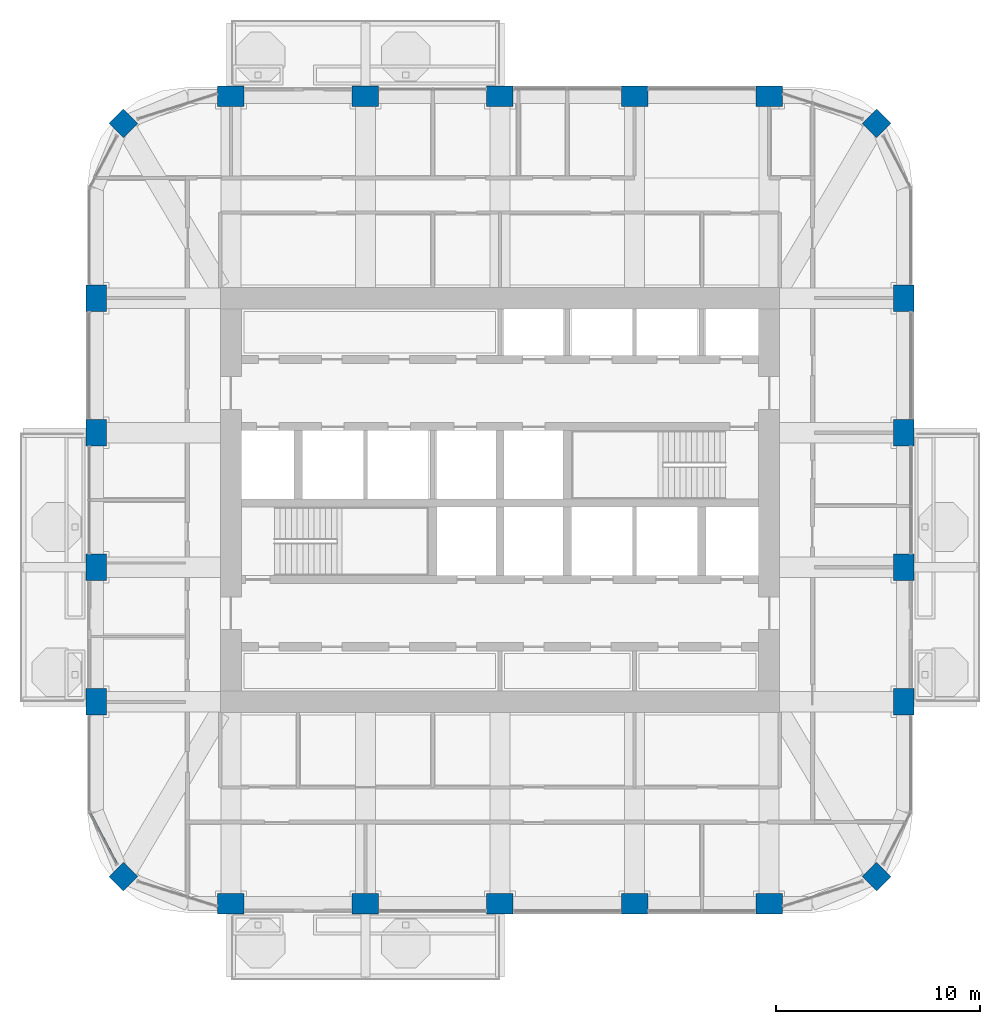
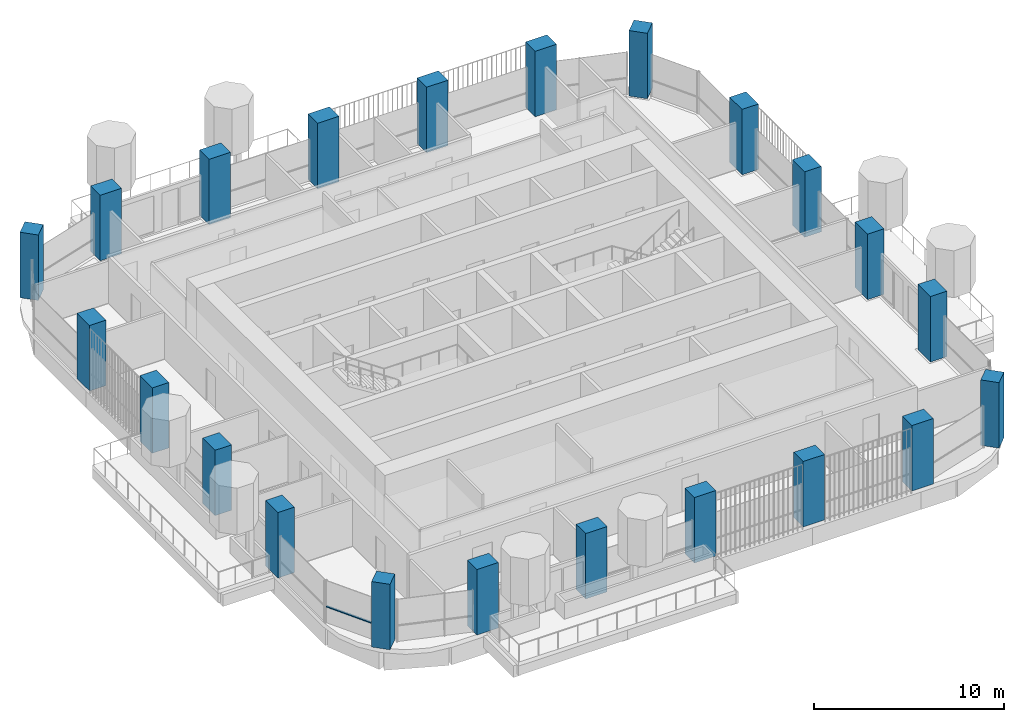
# One storey, part 1 of 20: 22 columns, 1 member, 1 element without a shape of its own.
"""IFC4 building model written with IfcOpenShell, lengths in metres."""

from ifc_helpers import new_model, si_unit, direction, frame, origin, origin_2d, place, context, subcontext, project, spatial, rectangle, extrude, material, material_profile, profile_set, type_object, element, aggregate, save


model = new_model("IFC4")

# Units and contexts
model_context = context("Model", 3, precision=1e-05, world=origin(), true_north=direction((0.0, 1.0)))
body_context = subcontext(model_context, "Body", "Model", "MODEL_VIEW")
ifc_project = project(units=[si_unit("LENGTHUNIT", "METRE"), si_unit("AREAUNIT", "SQUARE_METRE"), si_unit("VOLUMEUNIT", "CUBIC_METRE"), si_unit("PLANEANGLEUNIT", "RADIAN"), si_unit("MASSUNIT", "GRAM", prefix="KILO")], contexts=[model_context])

# Site, building, storey
site_placement = place(None, origin())
site = spatial("IfcSite", under=ifc_project, at=site_placement, CompositionType="ELEMENT")
building_placement = place(site_placement, origin())
building = spatial("IfcBuilding", under=site, at=building_placement, Name="Cobogo Forest Laboratory Tower", CompositionType="ELEMENT")
storey_placement = place(building_placement, frame((0.0, 0.0, 246.0)))
storey = spatial("IfcBuildingStorey", under=building, at=storey_placement, Name="L56", CompositionType="ELEMENT", Elevation=246.0)

# Columns
ifc_material_1 = material(Name="Concrete HA-50 (C50/60)", Category="concrete")
ifc_material_profile_1 = material_profile(ifc_material_1, rectangle(XDim=1.300048828125, YDim=1.0, at=origin_2d()), Name="RC 1000x1300")
ifc_profile_set_1 = profile_set([ifc_material_profile_1], Name="Concrete HA-50 (C50/60)")
column_type_1 = type_object("IfcColumnType", Name="Blade column 1000x1300", PredefinedType="COLUMN", material=ifc_profile_set_1)
for number, where, z_axis, x_axis, name in (
    (1, (13.199951171875, 3.300048828125, 0.0), (0.0, 0.0, 1.0), (1.0, 0.0, 0.0), "Column 3-A.1 L56"),
    (2, (19.800048828125, 3.300048828125, 0.0), (0.0, 0.0, 1.0), (1.0, 0.0, 0.0), "Column 4-A.1 L56"),
    (3, (26.39990234375, 3.300048828125, 0.0), (0.0, 0.0, 1.0), (1.0, 0.0, 0.0), "Column 5-A.1 L56"),
    (4, (33.0, 3.300048828125, 0.0), (0.0, 0.0, 1.0), (1.0, 0.0, 0.0), "Column 6-A.1 L56"),
    (5, (39.60009765625, 3.300048828125, 0.0), (0.0, 0.0, 1.0), (1.0, 0.0, 0.0), "Column 7-A.1 L56"),
    (6, (6.60009765625, 13.199951171875, 0.0), (0.0, 0.0, 1.0), (0.0, 1.0, 0.0), "Column 2-C L56"),
    (7, (46.199951171875, 13.199951171875, 0.0), (0.0, 0.0, 1.0), (0.0, 1.0, 0.0), "Column 8-C L56"),
    (8, (6.60009765625, 19.800048828125, 0.0), (0.0, 0.0, 1.0), (0.0, 1.0, 0.0), "Column 2-D L56"),
    (9, (46.199951171875, 19.800048828125, 0.0), (0.0, 0.0, 1.0), (0.0, 1.0, 0.0), "Column 8-D L56"),
    (10, (6.60009765625, 26.39990234375, 0.0), (0.0, 0.0, 1.0), (0.0, 1.0, 0.0), "Column 2-E L56"),
    (11, (46.199951171875, 26.39990234375, 0.0), (0.0, 0.0, 1.0), (0.0, 1.0, 0.0), "Column 8-E L56"),
    (12, (6.60009765625, 33.0, 0.0), (0.0, 0.0, 1.0), (0.0, 1.0, 0.0), "Column 2-F L56"),
    (13, (46.199951171875, 33.0, 0.0), (0.0, 0.0, 1.0), (0.0, 1.0, 0.0), "Column 8-F L56"),
    (14, (13.199951171875, 42.89990234375, 0.0), (0.0, 0.0, 1.0), (1.0, 0.0, 0.0), "Column 3-G.1 L56"),
    (15, (19.800048828125, 42.89990234375, 0.0), (0.0, 0.0, 1.0), (1.0, 0.0, 0.0), "Column 4-G.1 L56"),
    (16, (26.39990234375, 42.89990234375, 0.0), (0.0, 0.0, 1.0), (1.0, 0.0, 0.0), "Column 5-G.1 L56"),
    (17, (33.0, 42.89990234375, 0.0), (0.0, 0.0, 1.0), (1.0, 0.0, 0.0), "Column 6-G.1 L56"),
    (18, (39.60009765625, 42.89990234375, 0.0), (0.0, 0.0, 1.0), (1.0, 0.0, 0.0), "Column 7-G.1 L56"),
):
    element("IfcColumn", number, at=place(storey_placement, frame(where, z_axis=z_axis, x_axis=x_axis)), inside=storey, type_object=column_type_1, Name=name, PredefinedType="COLUMN", context=body_context, shape_type="SweptSolid", body=[
        extrude(rectangle(XDim=1.300048828125, YDim=1.0, at=origin_2d()), origin(), (0.0, 0.0, 1.0), 4.199951171875),
    ])
ifc_material_profile_2 = material_profile(ifc_material_1, rectangle(XDim=1.0, YDim=1.0, at=origin_2d()), Name="RC 1000x1000")
ifc_profile_set_2 = profile_set([ifc_material_profile_2], Name="Concrete HA-50 (C50/60)")
column_type_2 = type_object("IfcColumnType", Name="Column 1000x1000", PredefinedType="COLUMN", material=ifc_profile_set_2)
for number, where, z_axis, x_axis, name in (
    (19, (7.91796875, 4.617919921875, 0.0), (0.0, 0.0, 1.0), (0.707106781187, 0.707106781187, 0.0), "Column CNR-SW L56"),
    (20, (44.882080078125, 4.617919921875, 0.0), (0.0, 0.0, 1.0), (0.707106781187, 0.707106781187, 0.0), "Column CNR-SE L56"),
    (21, (7.91796875, 41.58203125, 0.0), (0.0, 0.0, 1.0), (0.707106781187, 0.707106781187, 0.0), "Column CNR-NW L56"),
    (22, (44.882080078125, 41.58203125, 0.0), (0.0, 0.0, 1.0), (0.707106781187, 0.707106781187, 0.0), "Column CNR-NE L56"),
):
    element("IfcColumn", number, at=place(storey_placement, frame(where, z_axis=z_axis, x_axis=x_axis)), inside=storey, type_object=column_type_2, Name=name, PredefinedType="COLUMN", context=body_context, shape_type="SweptSolid", body=[
        extrude(rectangle(XDim=1.0, YDim=1.0, at=origin_2d()), origin(), (0.0, 0.0, 1.0), 4.199951171875),
    ])

# Curtain wall, member
ifc_material_2 = material(Name="Aluminium curtain wall", Category="aluminium")
curtain_wall_type = type_object("IfcCurtainWallType", Name="CW-2 unitised curtain wall, solar control glazing, laboratory floors zones C and D", PredefinedType="USERDEFINED", material=ifc_material_2)
curtain_wall_placement = place(storey_placement, origin())
curtain_wall = element("IfcCurtainWall", 23, at=curtain_wall_placement, inside=storey, type_object=curtain_wall_type, Name="Curtain wall 25 L56", ObjectType="UNITISED CURTAIN WALL", PredefinedType="USERDEFINED")
ifc_material_3 = material(Name="Aluminium transom", Category="aluminium")
ifc_material_profile_3 = material_profile(ifc_material_3, rectangle(XDim=0.1201171875, YDim=0.06005859375, at=origin_2d()), Name="AL 60x120")
ifc_profile_set_3 = profile_set([ifc_material_profile_3], Name="Aluminium transom")
member_type = type_object("IfcMemberType", Name="TR-1 aluminium transom 60x120", PredefinedType="USERDEFINED", material=ifc_profile_set_3)
member_placement = place(storey_placement, frame((6.27783203125, 7.746826171875, 1.050048828125), z_axis=(0.464282656331, -0.885687086408, 0.0), x_axis=(0.885687086408, 0.464282656331, 0.0)))
member = element("IfcMember", 24, at=member_placement, type_object=member_type, Name="CW-2 transom 1.1", ObjectType="TRANSOM", PredefinedType="USERDEFINED", context=body_context, shape_type="SweptSolid", body=[
    extrude(rectangle(XDim=0.1201171875, YDim=0.06005859375, at=origin_2d()), origin(), (0.0, 0.0, 1.0), 2.812744140625),
])
aggregate(curtain_wall, [member])

save(model, "model.ifc")
